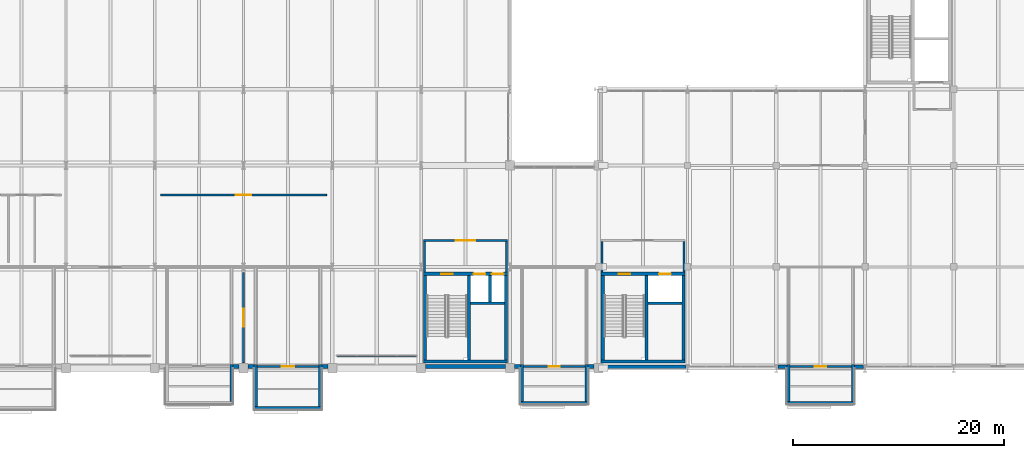
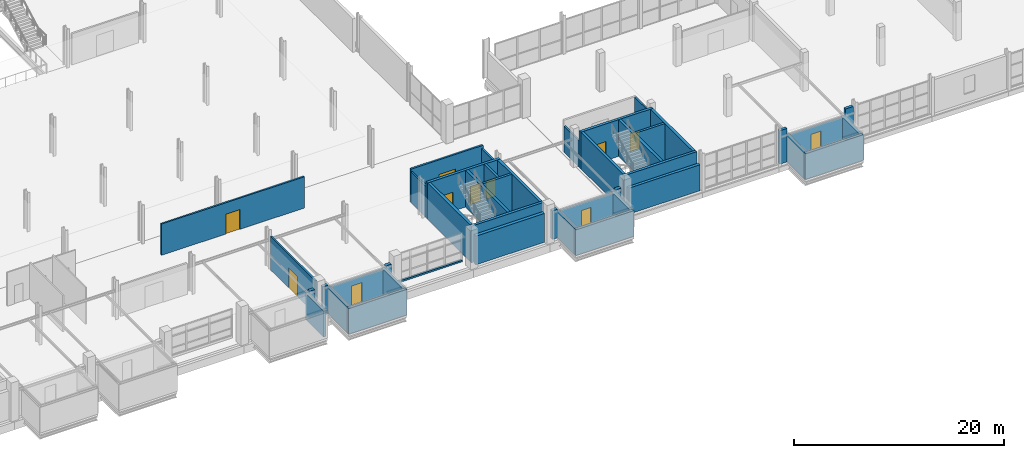
# One storey, part 100 of 113: 43 walls, 11 doors, 11 openings.
"""IFC4 building model written with IfcOpenShell, lengths in metres."""

import ifcopenshell
import ifcopenshell.guid

model = None  # the IFC model being written
_history = None  # IfcOwnerHistory: only IFC2X3 demands one
_inside = {}  # id of a spatial element -> (the spatial element, [elements in it])
_under = {}  # id of a project, library or spatial element -> (it, [spatial elements below it])
_declared = {}  # id of a project -> (the project, [libraries it declares])
_typed = {}  # id of a type object -> (the type object, [elements of that type])
_made_of = {}  # id of a material, layer set ... -> (it, [elements and type objects made of it])


def new_model(schema):
    """Start an empty IFC model of exactly this schema.

    Asked for "IFC4X3", IfcOpenShell would pick the latest addendum, in which some entities
    have other attributes; the version numbers below select the first issue.
    IFC2X3 requires an IfcOwnerHistory on every rooted entity: one is made here for all.
    """
    global model, _history
    if schema == "IFC4X3":
        model = ifcopenshell.file(schema_version=(4, 3, 0, 0))
    else:
        model = ifcopenshell.file(schema=schema)
    _inside.clear()
    _under.clear()
    _declared.clear()
    _typed.clear()
    _made_of.clear()
    _history = None
    if model.schema == "IFC2X3":
        org = make("IfcOrganization", Name="unknown")
        user = make(
            "IfcPersonAndOrganization",
            ThePerson=make("IfcPerson", FamilyName="unknown"),
            TheOrganization=org,
        )
        app = make(
            "IfcApplication",
            ApplicationDeveloper=org,
            Version="unknown",
            ApplicationFullName="unknown",
            ApplicationIdentifier="unknown",
        )
        _history = make(
            "IfcOwnerHistory",
            OwningUser=user,
            OwningApplication=app,
            ChangeAction="ADDED",
            CreationDate=0,
        )
    return model


def make(cls, **values):
    """One entity of the class cls with the attributes given. An attribute that is None is left unset."""
    return model.create_entity(
        cls, **{name: value for name, value in values.items() if value is not None}
    )


def rooted(cls, **values):
    """An entity with a GlobalId (a new one), such as an element, a storey or a relation."""
    return make(cls, GlobalId=ifcopenshell.guid.new(), OwnerHistory=_history, **values)


def si_unit(unit_type, name, prefix=None):
    """IfcSIUnit, for example si_unit("LENGTHUNIT", "METRE", prefix="MILLI")."""
    return make("IfcSIUnit", UnitType=unit_type, Prefix=prefix, Name=name)


def assignment(units):
    """IfcUnitAssignment: the units of a project."""
    return None if units is None else make("IfcUnitAssignment", Units=units)


def point(xyz):
    """IfcCartesianPoint."""
    return None if xyz is None else make("IfcCartesianPoint", Coordinates=xyz)


def direction(xyz):
    """IfcDirection."""
    return None if xyz is None else make("IfcDirection", DirectionRatios=xyz)


def frame(location, z_axis=None, x_axis=None):
    """IfcAxis2Placement3D, a coordinate frame: its origin and axes. An axis left out is left unset."""
    return make(
        "IfcAxis2Placement3D",
        Location=point(location),
        Axis=direction(z_axis),
        RefDirection=direction(x_axis),
    )


def frame_2d(location, x_axis=None):
    """IfcAxis2Placement2D, a coordinate frame in the plane: its origin and x axis."""
    return make(
        "IfcAxis2Placement2D", Location=point(location), RefDirection=direction(x_axis)
    )


def origin():
    """The frame at (0, 0, 0) with its axes left unset."""
    return frame((0.0, 0.0, 0.0))


def place(relative_to, where):
    """IfcLocalPlacement: puts the frame where relative to a parent placement (None: the world)."""
    return make(
        "IfcLocalPlacement", PlacementRelTo=relative_to, RelativePlacement=where
    )


def context(
    kind, dimensions, precision=None, world=None, true_north=None, identifier=None
):
    """IfcGeometricRepresentationContext, for example the 3D "Model" context."""
    return make(
        "IfcGeometricRepresentationContext",
        ContextIdentifier=identifier,
        ContextType=kind,
        CoordinateSpaceDimension=dimensions,
        Precision=precision,
        WorldCoordinateSystem=world,
        TrueNorth=true_north,
    )


def subcontext(parent, identifier, kind, view, scale=None):
    """IfcGeometricRepresentationSubContext, for example "Body" below "Model"."""
    return make(
        "IfcGeometricRepresentationSubContext",
        ContextIdentifier=identifier,
        ContextType=kind,
        ParentContext=parent,
        TargetScale=scale,
        TargetView=view,
    )


def project(units=None, contexts=None):
    """IfcProject with its units and contexts."""
    return rooted(
        "IfcProject",
        Name="project",
        RepresentationContexts=contexts,
        UnitsInContext=assignment(units),
    )


def spatial(cls, under=None, at=None, **own):
    """A site, building, storey or space (cls), placed at a placement, below another one or the project."""
    s = rooted(cls, ObjectPlacement=at, **own)
    if under is not None:
        _under.setdefault(under.id(), (under, []))[1].append(s)
    return s


def profile(cls, at=None, kind="AREA", **sizes):
    """A parametric profile (cls). Its sizes go by their IFC names, for example OverallWidth=200.0."""
    return make(cls, ProfileType=kind, Position=at, **sizes)


def rectangle(**sizes):
    """IfcRectangleProfileDef."""
    return profile("IfcRectangleProfileDef", **sizes)


def extrude(swept, where, along, depth):
    """IfcExtrudedAreaSolid: the profile swept, set in the frame where, extruded along a direction by depth."""
    return make(
        "IfcExtrudedAreaSolid",
        SweptArea=swept,
        Position=where,
        ExtrudedDirection=direction(along),
        Depth=depth,
    )


def shape(context_of_items, identifier, shape_type, items):
    """IfcShapeRepresentation: the items that make up one representation, for example the "Body"."""
    return make(
        "IfcShapeRepresentation",
        ContextOfItems=context_of_items,
        RepresentationIdentifier=identifier,
        RepresentationType=shape_type,
        Items=items,
    )


def material(Name=None, Category=None):
    """IfcMaterial."""
    return make("IfcMaterial", Name=Name, Category=Category)


def layer(
    of_material, thickness, ventilated=None, Name=None, Category=None, Priority=None
):
    """IfcMaterialLayer: one layer of a wall or slab, of a material (None: an air gap)."""
    return make(
        "IfcMaterialLayer",
        Material=of_material,
        LayerThickness=thickness,
        IsVentilated=ventilated,
        Name=Name,
        Category=Category,
        Priority=Priority,
    )


def layer_set(layers, Name=None):
    """IfcMaterialLayerSet."""
    return make("IfcMaterialLayerSet", MaterialLayers=layers, LayerSetName=Name)


def made_of(thing, what):
    """Note that an element or type object is made of a material, layer set ...; save() writes the relation."""
    if what is not None:
        _made_of.setdefault(what.id(), (what, []))[1].append(thing)
    return thing


def type_object(cls, material=None, **own):
    """A type object (cls), such as IfcWallType, which elements share."""
    return made_of(rooted(cls, **own), material)


def element(
    cls,
    number,
    at=None,
    inside=None,
    cuts=None,
    type_object=None,
    material=None,
    context=None,
    identifier="Body",
    shape_type=None,
    held_by="IfcProductDefinitionShape",
    body=None,
    shapes=None,
    **own,
):
    """One element of the class cls, such as IfcWall. Its Tag is "e" and its number.

    at: its placement. inside: the storey or other place that contains it. cuts: it is an
    opening in that element (IfcRelVoidsElement). A single representation is given by context,
    identifier, shape_type and body (its items); several are given by shapes. held_by: the class
    of the entity that holds the representations. save() writes the other relations.
    """
    e = rooted(cls, Tag="e%d" % number, ObjectPlacement=at, **own)
    if body is not None:
        shapes = [shape(context, identifier, shape_type, body)]
    if shapes is not None:
        e.Representation = make(held_by, Representations=shapes)
    if inside is not None:
        _inside.setdefault(inside.id(), (inside, []))[1].append(e)
    if cuts is not None:
        rooted(
            "IfcRelVoidsElement", RelatingBuildingElement=cuts, RelatedOpeningElement=e
        )
    if type_object is not None:
        _typed.setdefault(type_object.id(), (type_object, []))[1].append(e)
    return made_of(e, material)


def fill(opening, filler):
    """IfcRelFillsElement: the door or window that sits in an opening."""
    return rooted(
        "IfcRelFillsElement",
        RelatingOpeningElement=opening,
        RelatedBuildingElement=filler,
    )


def aggregate(whole, parts):
    """IfcRelAggregates: a whole, such as a stair, and the parts it consists of."""
    return rooted("IfcRelAggregates", RelatingObject=whole, RelatedObjects=parts)


def save(model, path):
    """Write the relations noted so far, then the file.

    IfcRelAggregates (storeys below a building ...), IfcRelContainedInSpatialStructure (elements
    in a storey), IfcRelDefinesByType, IfcRelAssociatesMaterial and IfcRelDeclares: one each for
    every whole, place, type object, material and project.
    """
    for whole, parts in _under.values():
        aggregate(whole, parts)
    for where, things in _inside.values():
        rooted(
            "IfcRelContainedInSpatialStructure",
            RelatedElements=things,
            RelatingStructure=where,
        )
    for kind, things in _typed.values():
        rooted("IfcRelDefinesByType", RelatedObjects=things, RelatingType=kind)
    for what, things in _made_of.values():
        rooted("IfcRelAssociatesMaterial", RelatedObjects=things, RelatingMaterial=what)
    for by, libraries in _declared.values():
        rooted("IfcRelDeclares", RelatingContext=by, RelatedDefinitions=libraries)
    model.write(path)


model = new_model("IFC4")

# Units and contexts
model_context = context("Model", 3, precision=1e-05, world=origin(), true_north=direction((0.0, 1.0)))
body_context = subcontext(model_context, "Body", "Model", "MODEL_VIEW")
ifc_project = project(units=[si_unit("LENGTHUNIT", "METRE"), si_unit("AREAUNIT", "SQUARE_METRE"), si_unit("VOLUMEUNIT", "CUBIC_METRE"), si_unit("PLANEANGLEUNIT", "RADIAN"), si_unit("MASSUNIT", "GRAM", prefix="KILO")], contexts=[model_context])

# Site, building, storey
site_placement = place(None, origin())
site = spatial("IfcSite", under=ifc_project, at=site_placement, CompositionType="ELEMENT")
building_placement = place(site_placement, origin())
building = spatial("IfcBuilding", under=site, at=building_placement, Name="Veltarok Museum of Natural Sciences", CompositionType="ELEMENT")
storey_placement = place(building_placement, frame((0.0, 0.0, 8.39990234375)))
storey = spatial("IfcBuildingStorey", under=building, at=storey_placement, Name="L01", CompositionType="ELEMENT", Elevation=8.39990234375)

# Walls
ifc_material_1 = material(Name="Precast concrete C40/50", Category="concrete")
ifc_layer_1 = layer(ifc_material_1, 0.280029296875)
ifc_layer_set_1 = layer_set([ifc_layer_1], Name="Precast concrete C40/50")
wall_type_1 = type_object("IfcWallType", Name="Cabinet Box Insulated Backup Wall 280", PredefinedType="SOLIDWALL", material=ifc_layer_set_1)
wall_1_placement = place(storey_placement, frame((72.4599609375, -3.1201171875, 0.0), z_axis=(0.0, 0.0, 1.0), x_axis=(0.0, 1.0, 0.0)))
element("IfcWall", 1, at=wall_1_placement, inside=storey, type_object=wall_type_1, Name="Cabinet Box Wall DB-03-E", PredefinedType="SOLIDWALL", context=body_context, shape_type="SweptSolid", body=[
    extrude(rectangle(XDim=3.480224609375, YDim=0.280029296875, at=frame_2d((1.740234375, 0.0))), origin(), (0.0, 0.0, 1.0), 2.989990234375),
])
wall_2_placement = place(storey_placement, frame((99.800048828125, -3.260009765625, 0.0), z_axis=(0.0, 0.0, 1.0), x_axis=(1.0, 0.0, 0.0)))
element("IfcWall", 2, at=wall_2_placement, inside=storey, type_object=wall_type_1, Name="Cabinet Box Wall DB-05-S", PredefinedType="SOLIDWALL", context=body_context, shape_type="SweptSolid", body=[
    extrude(rectangle(XDim=6.39990234375, YDim=0.280029296875, at=frame_2d((3.199951171875, 0.0))), origin(), (0.0, 0.0, 1.0), 2.989990234375),
])
for number, where, z_axis, x_axis, name in (
    (3, (99.93994140625, 0.360107421875, 0.0), (0.0, 0.0, 1.0), (0.0, -1.0, 0.0), "Cabinet Box Wall DB-05-W"),
    (4, (106.06005859375, -3.1201171875, 0.0), (0.0, 0.0, 1.0), (0.0, 1.0, 0.0), "Cabinet Box Wall DB-05-E"),
):
    element("IfcWall", number, at=place(storey_placement, frame(where, z_axis=z_axis, x_axis=x_axis)), inside=storey, type_object=wall_type_1, Name=name, PredefinedType="SOLIDWALL", context=body_context, shape_type="SweptSolid", body=[
        extrude(rectangle(XDim=3.480224609375, YDim=0.280029296875, at=frame_2d((1.740234375, 0.0))), origin(), (0.0, 0.0, 1.0), 2.989990234375),
    ])
wall_3_placement = place(storey_placement, frame((125.0, -3.260009765625, 0.0), z_axis=(0.0, 0.0, 1.0), x_axis=(1.0, 0.0, 0.0)))
element("IfcWall", 5, at=wall_3_placement, inside=storey, type_object=wall_type_1, Name="Cabinet Box Wall DB-06-S", PredefinedType="SOLIDWALL", context=body_context, shape_type="SweptSolid", body=[
    extrude(rectangle(XDim=6.39990234375, YDim=0.280029296875, at=frame_2d((3.199951171875, 0.0))), origin(), (0.0, 0.0, 1.0), 2.989990234375),
])
for number, where, z_axis, x_axis, name in (
    (6, (125.139892578125, 0.360107421875, 0.0), (0.0, 0.0, 1.0), (0.0, -1.0, 0.0), "Cabinet Box Wall DB-06-W"),
    (7, (131.260009765625, -3.1201171875, 0.0), (0.0, 0.0, 1.0), (0.0, 1.0, 0.0), "Cabinet Box Wall DB-06-E"),
):
    element("IfcWall", number, at=place(storey_placement, frame(where, z_axis=z_axis, x_axis=x_axis)), inside=storey, type_object=wall_type_1, Name=name, PredefinedType="SOLIDWALL", context=body_context, shape_type="SweptSolid", body=[
        extrude(rectangle(XDim=3.480224609375, YDim=0.280029296875, at=frame_2d((1.740234375, 0.0))), origin(), (0.0, 0.0, 1.0), 2.989990234375),
    ])
ifc_layer_2 = layer(ifc_material_1, 0.300048828125)
ifc_layer_set_2 = layer_set([ifc_layer_2], Name="Precast concrete C40/50")
wall_type_2 = type_object("IfcWallType", Name="Deep Cabinet Box Insulated Wall 300", PredefinedType="SOLIDWALL", material=ifc_layer_set_2)
wall_4_placement = place(storey_placement, frame((74.60009765625, -3.75, 0.0), z_axis=(0.0, 0.0, 1.0), x_axis=(1.0, 0.0, 0.0)))
element("IfcWall", 8, at=wall_4_placement, inside=storey, type_object=wall_type_2, Name="Cabinet Box Wall DB-04-S", PredefinedType="SOLIDWALL", context=body_context, shape_type="SweptSolid", body=[
    extrude(rectangle(XDim=6.39990234375, YDim=0.300048828125, at=frame_2d((3.199951171875, 0.0))), origin(), (0.0, 0.0, 1.0), 2.989990234375),
])
for number, where, z_axis, x_axis, name in (
    (9, (74.75, 0.360107421875, 0.0), (0.0, 0.0, 1.0), (0.0, -1.0, 0.0), "Cabinet Box Wall DB-04-W"),
    (10, (80.85009765625, -3.60009765625, 0.0), (0.0, 0.0, 1.0), (0.0, 1.0, 0.0), "Cabinet Box Wall DB-04-E"),
):
    element("IfcWall", number, at=place(storey_placement, frame(where, z_axis=z_axis, x_axis=x_axis)), inside=storey, type_object=wall_type_2, Name=name, PredefinedType="SOLIDWALL", context=body_context, shape_type="SweptSolid", body=[
        extrude(rectangle(XDim=3.960205078125, YDim=0.300048828125, at=frame_2d((1.97998046875, 0.0))), origin(), (0.0, 0.0, 1.0), 2.989990234375),
    ])

# Wall, opening, door
ifc_material_2 = material(Name="Acoustic gypsum and mineral wool")
ifc_layer_3 = layer(ifc_material_2, 0.179931640625)
ifc_layer_set_3 = layer_set([ifc_layer_3], Name="Acoustic gypsum and mineral wool")
wall_type_3 = type_object("IfcWallType", Name="Exhibition Gallery Partition 180", PredefinedType="PARTITIONING", material=ifc_layer_set_3)
wall_5_placement = place(storey_placement, frame((74.89990234375, 0.179931640625, 0.0), z_axis=(0.0, 0.0, 1.0), x_axis=(1.0, 0.0, 0.0)))
wall_5 = element("IfcWall", 11, at=wall_5_placement, inside=storey, type_object=wall_type_3, Name="Cabinet Threshold Partition DB-04", PredefinedType="PARTITIONING", context=body_context, shape_type="SweptSolid", body=[
    extrude(rectangle(XDim=5.800048828125, YDim=0.179931640625, at=frame_2d((2.89990234375, 0.0))), origin(), (0.0, 0.0, 1.0), 2.989990234375),
])
opening_1_placement = place(wall_5_placement, frame((2.31005859375, 0.0, 0.0)))
opening_1 = element("IfcOpeningElement", 12, at=opening_1_placement, cuts=wall_5, Name="Opening D-L01-075", PredefinedType="OPENING", context=body_context, shape_type="SweptSolid", body=[
    extrude(rectangle(XDim=1.179931640625, YDim=2.25, at=frame_2d((0.58984375, 1.125))), frame((0.0, 0.10009765625, 0.0), z_axis=(0.0, -1.0, 0.0), x_axis=(1.0, 0.0, 0.0)), (0.0, 0.0, 1.0), 0.199951171875),
])
ifc_material_3 = material(Name="Airtight powder-coated steel", Category="steel")
door_type_1 = type_object("IfcDoorType", Name="Large Cabinet Conservation Door 1180x2250", OperationType="NOTDEFINED", PredefinedType="DOOR", material=ifc_material_3)
door_1_placement = place(opening_1_placement, origin())
door_1 = element("IfcDoor", 13, at=door_1_placement, inside=storey, type_object=door_type_1, Name="Cabinet Conservation Door DB-04", OperationType="SINGLE_SWING_LEFT", OverallHeight=2.25, OverallWidth=1.179931640625, PredefinedType="DOOR", context=body_context, shape_type="SweptSolid", body=[
    extrude(rectangle(XDim=1.179931640625, YDim=2.25, at=frame_2d((0.58984375, 1.125))), frame((0.0, 0.02490234375, 0.0), z_axis=(0.0, -1.0, 0.0), x_axis=(1.0, 0.0, 0.0)), (0.0, 0.0, 1.0), 0.050048828125),
])
fill(opening_1, door_1)

wall_6_placement = place(storey_placement, frame((100.080078125, 0.179931640625, 0.0), z_axis=(0.0, 0.0, 1.0), x_axis=(1.0, 0.0, 0.0)))
wall_6 = element("IfcWall", 14, at=wall_6_placement, inside=storey, type_object=wall_type_3, Name="Cabinet Threshold Partition DB-05", PredefinedType="PARTITIONING", context=body_context, shape_type="SweptSolid", body=[
    extrude(rectangle(XDim=5.83984375, YDim=0.179931640625, at=frame_2d((2.919921875, 0.0))), origin(), (0.0, 0.0, 1.0), 2.989990234375),
])
opening_2_placement = place(wall_6_placement, frame((2.39990234375, 0.0, 0.0)))
opening_2 = element("IfcOpeningElement", 15, at=opening_2_placement, cuts=wall_6, Name="Opening D-L01-076", PredefinedType="OPENING", context=body_context, shape_type="SweptSolid", body=[
    extrude(rectangle(XDim=1.0400390625, YDim=2.179931640625, at=frame_2d((0.52001953125, 1.08984375))), frame((0.0, 0.10009765625, 0.0), z_axis=(0.0, -1.0, 0.0), x_axis=(1.0, 0.0, 0.0)), (0.0, 0.0, 1.0), 0.199951171875),
])
door_type_2 = type_object("IfcDoorType", Name="Compact Cabinet Conservation Door 1040x2180", OperationType="NOTDEFINED", PredefinedType="DOOR", material=ifc_material_3)
door_2_placement = place(opening_2_placement, origin())
door_2 = element("IfcDoor", 16, at=door_2_placement, inside=storey, type_object=door_type_2, Name="Cabinet Conservation Door DB-05", OperationType="SINGLE_SWING_RIGHT", OverallHeight=2.179931640625, OverallWidth=1.0400390625, PredefinedType="DOOR", context=body_context, shape_type="SweptSolid", body=[
    extrude(rectangle(XDim=1.0400390625, YDim=2.179931640625, at=frame_2d((0.52001953125, 1.08984375))), frame((0.0, 0.02490234375, 0.0), z_axis=(0.0, -1.0, 0.0), x_axis=(1.0, 0.0, 0.0)), (0.0, 0.0, 1.0), 0.050048828125),
])
fill(opening_2, door_2)

wall_7_placement = place(storey_placement, frame((125.280029296875, 0.179931640625, 0.0), z_axis=(0.0, 0.0, 1.0), x_axis=(1.0, 0.0, 0.0)))
wall_7 = element("IfcWall", 17, at=wall_7_placement, inside=storey, type_object=wall_type_3, Name="Cabinet Threshold Partition DB-06", PredefinedType="PARTITIONING", context=body_context, shape_type="SweptSolid", body=[
    extrude(rectangle(XDim=5.840087890625, YDim=0.179931640625, at=frame_2d((2.919921875, 0.0))), origin(), (0.0, 0.0, 1.0), 2.989990234375),
])
opening_3_placement = place(wall_7_placement, frame((2.3701171875, 0.0, 0.0)))
opening_3 = element("IfcOpeningElement", 18, at=opening_3_placement, cuts=wall_7, Name="Opening D-L01-077", PredefinedType="OPENING", context=body_context, shape_type="SweptSolid", body=[
    extrude(rectangle(XDim=1.10009765625, YDim=2.199951171875, at=frame_2d((0.550048828125, 1.10009765625))), frame((0.0, 0.10009765625, 0.0), z_axis=(0.0, -1.0, 0.0), x_axis=(1.0, 0.0, 0.0)), (0.0, 0.0, 1.0), 0.199951171875),
])
door_type_3 = type_object("IfcDoorType", Name="Cabinet Box Conservation Door 1100x2200", OperationType="NOTDEFINED", PredefinedType="DOOR", material=ifc_material_3)
door_3_placement = place(opening_3_placement, origin())
door_3 = element("IfcDoor", 19, at=door_3_placement, inside=storey, type_object=door_type_3, Name="Cabinet Conservation Door DB-06", OperationType="SINGLE_SWING_LEFT", OverallHeight=2.199951171875, OverallWidth=1.10009765625, PredefinedType="DOOR", context=body_context, shape_type="SweptSolid", body=[
    extrude(rectangle(XDim=1.10009765625, YDim=2.199951171875, at=frame_2d((0.550048828125, 1.10009765625))), frame((0.0, 0.02490234375, 0.0), z_axis=(0.0, -1.0, 0.0), x_axis=(1.0, 0.0, 0.0)), (0.0, 0.0, 1.0), 0.050048828125),
])
fill(opening_3, door_3)

wall_8_placement = place(storey_placement, frame((73.60009765625, 0.550048828125, 0.0), z_axis=(0.0, 0.0, 1.0), x_axis=(0.0, 1.0, 0.0)))
wall_8 = element("IfcWall", 20, at=wall_8_placement, inside=storey, type_object=wall_type_3, Name="Interior Partition L01-027", PredefinedType="PARTITIONING", context=body_context, shape_type="SweptSolid", body=[
    extrude(rectangle(XDim=8.5, YDim=0.179931640625, at=frame_2d((4.25, 0.0))), origin(), (0.0, 0.0, 1.0), 3.902099609375),
])
opening_4_placement = place(wall_8_placement, frame((3.39990234375, 0.0, 0.0)))
opening_4 = element("IfcOpeningElement", 21, at=opening_4_placement, cuts=wall_8, Name="Opening D-L01-153", PredefinedType="OPENING", context=body_context, shape_type="SweptSolid", body=[
    extrude(rectangle(XDim=1.699951171875, YDim=2.35009765625, at=frame_2d((0.85009765625, 1.175048828125))), frame((0.0, 0.10009765625, 0.0), z_axis=(0.0, -1.0, 0.0), x_axis=(1.0, 0.0, 0.0)), (0.0, 0.0, 1.0), 0.199951171875),
])
ifc_material_4 = material(Name="Solid European oak and safety glass", Category="glass")
door_type_4 = type_object("IfcDoorType", Name="Gallery Interconnecting Double Door 1700x2350", OperationType="NOTDEFINED", PredefinedType="DOOR", material=ifc_material_4)
door_4_placement = place(opening_4_placement, origin())
door_4 = element("IfcDoor", 22, at=door_4_placement, inside=storey, type_object=door_type_4, Name="Interior Door D-L01-153", OperationType="DOUBLE_DOOR_SINGLE_SWING", OverallHeight=2.35009765625, OverallWidth=1.699951171875, PredefinedType="DOOR", context=body_context, shape_type="SweptSolid", body=[
    extrude(rectangle(XDim=1.699951171875, YDim=2.35009765625, at=frame_2d((0.85009765625, 1.175048828125))), frame((0.0, 0.02490234375, 0.0), z_axis=(0.0, -1.0, 0.0), x_axis=(1.0, 0.0, 0.0)), (0.0, 0.0, 1.0), 0.050048828125),
])
fill(opening_4, door_4)

wall_9_placement = place(storey_placement, frame((65.75, 16.39990234375, 0.0), z_axis=(0.0, 0.0, 1.0), x_axis=(1.0, 0.0, 0.0)))
wall_9 = element("IfcWall", 23, at=wall_9_placement, inside=storey, type_object=wall_type_3, Name="Interior Partition L01-028", PredefinedType="PARTITIONING", context=body_context, shape_type="SweptSolid", body=[
    extrude(rectangle(XDim=15.699951171875, YDim=0.179931640625, at=frame_2d((7.85009765625, 0.0))), origin(), (0.0, 0.0, 1.0), 3.632080078125),
])
opening_5_placement = place(wall_9_placement, frame((7.10009765625, 0.0, 0.0)))
opening_5 = element("IfcOpeningElement", 24, at=opening_5_placement, cuts=wall_9, Name="Opening D-L01-154", PredefinedType="OPENING", context=body_context, shape_type="SweptSolid", body=[
    extrude(rectangle(XDim=1.5, YDim=2.300048828125, at=frame_2d((0.75, 1.14990234375))), frame((0.0, 0.10009765625, 0.0), z_axis=(0.0, -1.0, 0.0), x_axis=(1.0, 0.0, 0.0)), (0.0, 0.0, 1.0), 0.199951171875),
])
door_type_5 = type_object("IfcDoorType", Name="Seminar Double Swing Door 1500x2300", OperationType="NOTDEFINED", PredefinedType="DOOR", material=ifc_material_4)
door_5_placement = place(opening_5_placement, origin())
door_5 = element("IfcDoor", 25, at=door_5_placement, inside=storey, type_object=door_type_5, Name="Interior Door D-L01-154", OperationType="SINGLE_SWING_LEFT", OverallHeight=2.300048828125, OverallWidth=1.5, PredefinedType="DOOR", context=body_context, shape_type="SweptSolid", body=[
    extrude(rectangle(XDim=1.5, YDim=2.300048828125, at=frame_2d((0.75, 1.14990234375))), frame((0.0, 0.02490234375, 0.0), z_axis=(0.0, -1.0, 0.0), x_axis=(1.0, 0.0, 0.0)), (0.0, 0.0, 1.0), 0.050048828125),
])
fill(opening_5, door_5)

# Walls
ifc_material_5 = material(Name="Concrete C40/50", Category="concrete")
ifc_layer_4 = layer(ifc_material_5, 0.360107421875)
ifc_layer_set_4 = layer_set([ifc_layer_4], Name="Concrete C40/50")
wall_type_4 = type_object("IfcWallType", Name="Exposed Architectural Concrete Facade Wall 360", PredefinedType="SOLIDWALL", material=ifc_layer_set_4)
wall_10_placement = place(storey_placement, frame((72.60009765625, 0.179931640625, 0.0), z_axis=(0.0, 0.0, 1.0), x_axis=(1.0, 0.0, 0.0)))
element("IfcWall", 26, at=wall_10_placement, inside=storey, type_object=wall_type_4, Name="Cabinet Collar Wall L01 8-9R", PredefinedType="SOLIDWALL", context=body_context, shape_type="SweptSolid", body=[
    extrude(rectangle(XDim=0.574951171875, YDim=0.360107421875, at=frame_2d((0.28759765625, 0.0))), origin(), (0.0, 0.0, 1.0), 3.335205078125),
])
wall_11_placement = place(storey_placement, frame((74.02490234375, 0.179931640625, 0.0), z_axis=(0.0, 0.0, 1.0), x_axis=(1.0, 0.0, 0.0)))
element("IfcWall", 27, at=wall_11_placement, inside=storey, type_object=wall_type_4, Name="Cabinet Collar Wall L01 9-10L", PredefinedType="SOLIDWALL", context=body_context, shape_type="SweptSolid", body=[
    extrude(rectangle(XDim=0.5751953125, YDim=0.360107421875, at=frame_2d((0.28759765625, 0.0))), origin(), (0.0, 0.0, 1.0), 3.335205078125),
])
wall_12_placement = place(storey_placement, frame((81.0, 0.179931640625, 0.0), z_axis=(0.0, 0.0, 1.0), x_axis=(1.0, 0.0, 0.0)))
element("IfcWall", 28, at=wall_12_placement, inside=storey, type_object=wall_type_4, Name="Cabinet Collar Wall L01 9-10R", PredefinedType="SOLIDWALL", context=body_context, shape_type="SweptSolid", body=[
    extrude(rectangle(XDim=0.574951171875, YDim=0.360107421875, at=frame_2d((0.28759765625, 0.0))), origin(), (0.0, 0.0, 1.0), 3.335205078125),
])
wall_13_placement = place(storey_placement, frame((90.824951171875, 0.179931640625, 0.0), z_axis=(0.0, 0.0, 1.0), x_axis=(1.0, 0.0, 0.0)))
element("IfcWall", 29, at=wall_13_placement, inside=storey, type_object=wall_type_4, Name="South Core Facade Wall L01 11-12", PredefinedType="SOLIDWALL", context=body_context, shape_type="SweptSolid", body=[
    extrude(rectangle(XDim=7.550048828125, YDim=0.360107421875, at=frame_2d((3.77490234375, 0.0))), origin(), (0.0, 0.0, 1.0), 3.335205078125),
])
for number, where, z_axis, x_axis, name in (
    (30, (99.22509765625, 0.179931640625, 0.0), (0.0, 0.0, 1.0), (1.0, 0.0, 0.0), "Cabinet Collar Wall L01 12-13L"),
    (31, (106.199951171875, 0.179931640625, 0.0), (0.0, 0.0, 1.0), (1.0, 0.0, 0.0), "Cabinet Collar Wall L01 12-13R"),
):
    element("IfcWall", number, at=place(storey_placement, frame(where, z_axis=z_axis, x_axis=x_axis)), inside=storey, type_object=wall_type_4, Name=name, PredefinedType="SOLIDWALL", context=body_context, shape_type="SweptSolid", body=[
        extrude(rectangle(XDim=0.574951171875, YDim=0.360107421875, at=frame_2d((0.28759765625, 0.0))), origin(), (0.0, 0.0, 1.0), 3.335205078125),
    ])

# Wall, opening, door
ifc_material_6 = material(Name="Concrete C35/45", Category="concrete")
ifc_layer_5 = layer(ifc_material_6, 0.199951171875)
ifc_layer_set_5 = layer_set([ifc_layer_5], Name="Concrete C35/45")
wall_type_5 = type_object("IfcWallType", Name="Firefighting Lobby Compartment Wall 200", PredefinedType="SOLIDWALL", material=ifc_layer_set_5)
wall_14_placement = place(storey_placement, frame((90.6298828125, 12.10009765625, 0.0), z_axis=(0.0, 0.0, 1.0), x_axis=(1.0, 0.0, 0.0)))
wall_14 = element("IfcWall", 32, at=wall_14_placement, inside=storey, type_object=wall_type_5, Name="Firefighting Lobby Wall C2 L01 N", PredefinedType="SOLIDWALL", context=body_context, shape_type="SweptSolid", body=[
    extrude(rectangle(XDim=7.940185546875, YDim=0.199951171875, at=frame_2d((3.97021484375, 0.0))), origin(), (0.0, 0.0, 1.0), 3.902099609375),
])
opening_6_placement = place(wall_14_placement, frame((3.070068359375, 0.0, 0.0)))
opening_6 = element("IfcOpeningElement", 33, at=opening_6_placement, cuts=wall_14, Name="Opening D-L01-027", PredefinedType="OPENING", context=body_context, shape_type="SweptSolid", body=[
    extrude(rectangle(XDim=1.800048828125, YDim=2.199951171875, at=frame_2d((0.89990234375, 1.10009765625))), frame((0.0, 0.10986328125, 0.0), z_axis=(0.0, -1.0, 0.0), x_axis=(1.0, 0.0, 0.0)), (0.0, 0.0, 1.0), 0.219970703125),
])
ifc_material_7 = material(Name="Fire-rated steel and vision glass", Category="steel")
door_type_6 = type_object("IfcDoorType", Name="Fire Lobby Double Door 1800x2200", OperationType="NOTDEFINED", PredefinedType="DOOR", material=ifc_material_7)
door_6_placement = place(opening_6_placement, origin())
door_6 = element("IfcDoor", 34, at=door_6_placement, inside=storey, type_object=door_type_6, Name="Firefighting Lobby Entrance Door C2 L01", OperationType="DOUBLE_DOOR_SINGLE_SWING", OverallHeight=2.199951171875, OverallWidth=1.800048828125, PredefinedType="DOOR", context=body_context, shape_type="SweptSolid", body=[
    extrude(rectangle(XDim=1.800048828125, YDim=2.199951171875, at=frame_2d((0.89990234375, 1.10009765625))), frame((0.0, 0.02490234375, 0.0), z_axis=(0.0, -1.0, 0.0), x_axis=(1.0, 0.0, 0.0)), (0.0, 0.0, 1.0), 0.050048828125),
])
fill(opening_6, door_6)

# Walls
for number, where, z_axis, x_axis, name in (
    (35, (90.72998046875, 9.10009765625, 0.0), (0.0, 0.0, 1.0), (0.0, 1.0, 0.0), "Firefighting Lobby Wall C2 L01 W"),
    (36, (98.469970703125, 12.0, 0.0), (0.0, 0.0, 1.0), (0.0, -1.0, 0.0), "Firefighting Lobby Wall C2 L01 E"),
):
    element("IfcWall", number, at=place(storey_placement, frame(where, z_axis=z_axis, x_axis=x_axis)), inside=storey, type_object=wall_type_5, Name=name, PredefinedType="SOLIDWALL", context=body_context, shape_type="SweptSolid", body=[
        extrude(rectangle(XDim=2.89990234375, YDim=0.199951171875, at=frame_2d((1.449951171875, 0.0))), origin(), (0.0, 0.0, 1.0), 3.592041015625),
    ])
wall_15_placement = place(storey_placement, frame((107.530029296875, 9.10009765625, 0.0), z_axis=(0.0, 0.0, 1.0), x_axis=(0.0, 1.0, 0.0)))
element("IfcWall", 37, at=wall_15_placement, inside=storey, type_object=wall_type_5, Name="Firefighting Lobby Wall C4 L01 W", PredefinedType="SOLIDWALL", context=body_context, shape_type="SweptSolid", body=[
    extrude(rectangle(XDim=2.89990234375, YDim=0.199951171875, at=frame_2d((1.449951171875, 0.0))), origin(), (0.0, 0.0, 1.0), 3.031982421875),
])
wall_16_placement = place(storey_placement, frame((115.27001953125, 12.0, 0.0), z_axis=(0.0, 0.0, 1.0), x_axis=(0.0, -1.0, 0.0)))
element("IfcWall", 38, at=wall_16_placement, inside=storey, type_object=wall_type_5, Name="Firefighting Lobby Wall C4 L01 E", PredefinedType="SOLIDWALL", context=body_context, shape_type="SweptSolid", body=[
    extrude(rectangle(XDim=2.89990234375, YDim=0.199951171875, at=frame_2d((1.449951171875, 0.0))), origin(), (0.0, 0.0, 1.0), 3.68212890625),
])
ifc_layer_6 = layer(ifc_material_1, 0.320068359375)
ifc_layer_set_6 = layer_set([ifc_layer_6], Name="Precast concrete C40/50")
wall_type_6 = type_object("IfcWallType", Name="Insulated Precast Facade Wall 320", PredefinedType="SOLIDWALL", material=ifc_layer_set_6)
wall_17_placement = place(storey_placement, frame((107.625, 0.159912109375, 0.0), z_axis=(0.0, 0.0, 1.0), x_axis=(1.0, 0.0, 0.0)))
element("IfcWall", 39, at=wall_17_placement, inside=storey, type_object=wall_type_6, Name="Core C4 South Facade Wall L01", PredefinedType="SOLIDWALL", context=body_context, shape_type="SweptSolid", body=[
    extrude(rectangle(XDim=7.824951171875, YDim=0.320068359375, at=frame_2d((3.91259765625, 0.0))), origin(), (0.0, 0.0, 1.0), 3.02001953125),
])
for number, where, z_axis, x_axis, name in (
    (40, (124.14990234375, 0.159912109375, 0.0), (0.0, 0.0, 1.0), (1.0, 0.0, 0.0), "V5 Cabinet Collar Wall L01 15-16L"),
    (41, (131.39990234375, 0.159912109375, 0.0), (0.0, 0.0, 1.0), (1.0, 0.0, 0.0), "V5 Cabinet Collar Wall L01 15-16R"),
):
    element("IfcWall", number, at=place(storey_placement, frame(where, z_axis=z_axis, x_axis=x_axis)), inside=storey, type_object=wall_type_6, Name=name, PredefinedType="SOLIDWALL", context=body_context, shape_type="SweptSolid", body=[
        extrude(rectangle(XDim=0.85009765625, YDim=0.320068359375, at=frame_2d((0.425048828125, 0.0))), origin(), (0.0, 0.0, 1.0), 3.880126953125),
    ])
ifc_layer_7 = layer(ifc_material_5, 0.25)
ifc_layer_set_7 = layer_set([ifc_layer_7], Name="Concrete C40/50")
wall_type_7 = type_object("IfcWallType", Name="Lift Shaft Concrete Shear Wall 250", PredefinedType="SHEAR", material=ifc_layer_set_7)
wall_18_placement = place(storey_placement, frame((96.9150390625, 6.300048828125, 0.0), z_axis=(0.0, 0.0, 1.0), x_axis=(0.0, 1.0, 0.0)))
element("IfcWall", 42, at=wall_18_placement, inside=storey, type_object=wall_type_7, Name="Lift Shaft Divider Wall C2 L01", PredefinedType="SHEAR", context=body_context, shape_type="SweptSolid", body=[
    extrude(rectangle(XDim=2.5, YDim=0.25, at=frame_2d((1.25, 0.0))), origin(), (0.0, 0.0, 1.0), 4.25),
])
for number, where, z_axis, x_axis, name in (
    (43, (95.070068359375, 6.175048828125, 0.0), (0.0, 0.0, 1.0), (1.0, 0.0, 0.0), "Lift Shaft Back Wall C2 L01"),
    (44, (111.8701171875, 6.175048828125, 0.0), (0.0, 0.0, 1.0), (1.0, 0.0, 0.0), "Lift Shaft Back Wall C4 L01"),
):
    element("IfcWall", number, at=place(storey_placement, frame(where, z_axis=z_axis, x_axis=x_axis)), inside=storey, type_object=wall_type_7, Name=name, PredefinedType="SHEAR", context=body_context, shape_type="SweptSolid", body=[
        extrude(rectangle(XDim=3.199951171875, YDim=0.25, at=frame_2d((1.60009765625, 0.0))), origin(), (0.0, 0.0, 1.0), 4.25),
    ])
ifc_layer_8 = layer(ifc_material_5, 0.300048828125)
ifc_layer_set_8 = layer_set([ifc_layer_8], Name="Concrete C40/50")
wall_type_8 = type_object("IfcWallType", Name="Protected Core Shear Wall 300", PredefinedType="SHEAR", material=ifc_layer_set_8)
wall_19_placement = place(storey_placement, frame((90.6298828125, 0.64990234375, 0.0), z_axis=(0.0, 0.0, 1.0), x_axis=(1.0, 0.0, 0.0)))
element("IfcWall", 45, at=wall_19_placement, inside=storey, type_object=wall_type_8, Name="Core Shear Wall C2 L01 S", PredefinedType="SHEAR", context=body_context, shape_type="SweptSolid", body=[
    extrude(rectangle(XDim=7.940185546875, YDim=0.300048828125, at=frame_2d((3.97021484375, 0.0))), origin(), (0.0, 0.0, 1.0), 4.25),
])

# Wall, openings, doors
wall_20_placement = place(storey_placement, frame((98.570068359375, 8.949951171875, 0.0), z_axis=(0.0, 0.0, 1.0), x_axis=(-1.0, 0.0, 0.0)))
wall_20 = element("IfcWall", 46, at=wall_20_placement, inside=storey, type_object=wall_type_8, Name="Core Shear Wall C2 L01 N", PredefinedType="SHEAR", context=body_context, shape_type="SweptSolid", body=[
    extrude(rectangle(XDim=7.940185546875, YDim=0.300048828125, at=frame_2d((3.97021484375, 0.0))), origin(), (0.0, 0.0, 1.0), 4.25),
])
opening_7_placement = place(wall_20_placement, frame((5.169921875, 0.0, 0.0)))
opening_7 = element("IfcOpeningElement", 47, at=opening_7_placement, cuts=wall_20, Name="Opening D-L01-026", PredefinedType="OPENING", context=body_context, shape_type="SweptSolid", body=[
    extrude(rectangle(XDim=1.10009765625, YDim=2.199951171875, at=frame_2d((0.550048828125, 1.10009765625))), frame((0.0, 0.16015625, 0.0), z_axis=(0.0, -1.0, 0.0), x_axis=(1.0, 0.0, 0.0)), (0.0, 0.0, 1.0), 0.320068359375),
])
opening_8_placement = place(wall_20_placement, frame((2.090087890625, 0.0, 0.0)))
opening_8 = element("IfcOpeningElement", 48, at=opening_8_placement, cuts=wall_20, Name="Opening LD-L01-LP-02", PredefinedType="OPENING", context=body_context, shape_type="SweptSolid", body=[
    extrude(rectangle(XDim=1.10009765625, YDim=2.10009765625, at=frame_2d((0.550048828125, 1.050048828125))), frame((0.0, 0.16015625, 0.0), z_axis=(0.0, -1.0, 0.0), x_axis=(1.0, 0.0, 0.0)), (0.0, 0.0, 1.0), 0.320068359375),
])
opening_9_placement = place(wall_20_placement, frame((0.364990234375, 0.0, 0.0)))
opening_9 = element("IfcOpeningElement", 49, at=opening_9_placement, cuts=wall_20, Name="Opening LD-L01-FL-02", PredefinedType="OPENING", context=body_context, shape_type="SweptSolid", body=[
    extrude(rectangle(XDim=1.10009765625, YDim=2.10009765625, at=frame_2d((0.550048828125, 1.050048828125))), frame((0.0, 0.16015625, 0.0), z_axis=(0.0, -1.0, 0.0), x_axis=(1.0, 0.0, 0.0)), (0.0, 0.0, 1.0), 0.320068359375),
])
ifc_material_8 = material(Name="Fire-rated painted steel", Category="steel")
door_type_7 = type_object("IfcDoorType", Name="Fire Core Single Escape Door 1100x2200", OperationType="NOTDEFINED", PredefinedType="DOOR", material=ifc_material_8)
door_7_placement = place(opening_7_placement, origin())
door_7 = element("IfcDoor", 50, at=door_7_placement, inside=storey, type_object=door_type_7, Name="Protected Stair Door ST-02 L01", OperationType="SINGLE_SWING_LEFT", OverallHeight=2.199951171875, OverallWidth=1.10009765625, PredefinedType="DOOR", context=body_context, shape_type="SweptSolid", body=[
    extrude(rectangle(XDim=1.10009765625, YDim=2.199951171875, at=frame_2d((0.550048828125, 1.10009765625))), frame((0.0, 0.02490234375, 0.0), z_axis=(0.0, -1.0, 0.0), x_axis=(1.0, 0.0, 0.0)), (0.0, 0.0, 1.0), 0.050048828125),
])
fill(opening_7, door_7)
ifc_material_9 = material(Name="Brushed stainless steel", Category="steel")
door_type_8 = type_object("IfcDoorType", Name="Passenger and Firefighting Lift Landing Door 1100x2100", OperationType="SLIDING_TO_LEFT", PredefinedType="DOOR", material=ifc_material_9)
door_8_placement = place(opening_8_placement, origin())
door_8 = element("IfcDoor", 51, at=door_8_placement, inside=storey, type_object=door_type_8, Name="Sliding Lift Landing Door LD-L01-LP-02", OperationType="SLIDING_TO_LEFT", OverallHeight=2.10009765625, OverallWidth=1.10009765625, PredefinedType="DOOR", context=body_context, shape_type="SweptSolid", body=[
    extrude(rectangle(XDim=1.10009765625, YDim=2.10009765625, at=frame_2d((0.550048828125, 1.050048828125))), frame((0.0, 0.02490234375, 0.0), z_axis=(0.0, -1.0, 0.0), x_axis=(1.0, 0.0, 0.0)), (0.0, 0.0, 1.0), 0.050048828125),
])
fill(opening_8, door_8)
door_9_placement = place(opening_9_placement, origin())
door_9 = element("IfcDoor", 52, at=door_9_placement, inside=storey, type_object=door_type_8, Name="Sliding Lift Landing Door LD-L01-FL-02", OperationType="SLIDING_TO_LEFT", OverallHeight=2.10009765625, OverallWidth=1.10009765625, PredefinedType="DOOR", context=body_context, shape_type="SweptSolid", body=[
    extrude(rectangle(XDim=1.10009765625, YDim=2.10009765625, at=frame_2d((0.550048828125, 1.050048828125))), frame((0.0, 0.02490234375, 0.0), z_axis=(0.0, -1.0, 0.0), x_axis=(1.0, 0.0, 0.0)), (0.0, 0.0, 1.0), 0.050048828125),
])
fill(opening_9, door_9)

# Walls
for number, where, z_axis, x_axis, name in (
    (53, (90.780029296875, 8.800048828125, 0.0), (0.0, 0.0, 1.0), (0.0, -1.0, 0.0), "Core Shear Wall C2 L01 W"),
    (54, (98.419921875, 0.800048828125, 0.0), (0.0, 0.0, 1.0), (0.0, 1.0, 0.0), "Core Shear Wall C2 L01 E"),
    (55, (94.919921875, 0.800048828125, 0.0), (0.0, 0.0, 1.0), (0.0, 1.0, 0.0), "Core Shear Wall C2 L01 DIV"),
):
    element("IfcWall", number, at=place(storey_placement, frame(where, z_axis=z_axis, x_axis=x_axis)), inside=storey, type_object=wall_type_8, Name=name, PredefinedType="SHEAR", context=body_context, shape_type="SweptSolid", body=[
        extrude(rectangle(XDim=8.0, YDim=0.300048828125, at=frame_2d((4.0, 0.0))), origin(), (0.0, 0.0, 1.0), 4.25),
    ])
wall_21_placement = place(storey_placement, frame((107.429931640625, 0.64990234375, 0.0), z_axis=(0.0, 0.0, 1.0), x_axis=(1.0, 0.0, 0.0)))
element("IfcWall", 56, at=wall_21_placement, inside=storey, type_object=wall_type_8, Name="Core Shear Wall C4 L01 S", PredefinedType="SHEAR", context=body_context, shape_type="SweptSolid", body=[
    extrude(rectangle(XDim=7.940185546875, YDim=0.300048828125, at=frame_2d((3.97021484375, 0.0))), origin(), (0.0, 0.0, 1.0), 4.25),
])

# Wall, openings, doors
wall_22_placement = place(storey_placement, frame((115.3701171875, 8.949951171875, 0.0), z_axis=(0.0, 0.0, 1.0), x_axis=(-1.0, 0.0, 0.0)))
wall_22 = element("IfcWall", 57, at=wall_22_placement, inside=storey, type_object=wall_type_8, Name="Core Shear Wall C4 L01 N", PredefinedType="SHEAR", context=body_context, shape_type="SweptSolid", body=[
    extrude(rectangle(XDim=7.940185546875, YDim=0.300048828125, at=frame_2d((3.97021484375, 0.0))), origin(), (0.0, 0.0, 1.0), 4.25),
])
opening_10_placement = place(wall_22_placement, frame((5.169921875, 0.0, 0.0)))
opening_10 = element("IfcOpeningElement", 58, at=opening_10_placement, cuts=wall_22, Name="Opening D-L01-030", PredefinedType="OPENING", context=body_context, shape_type="SweptSolid", body=[
    extrude(rectangle(XDim=1.10009765625, YDim=2.199951171875, at=frame_2d((0.550048828125, 1.10009765625))), frame((0.0, 0.16015625, 0.0), z_axis=(0.0, -1.0, 0.0), x_axis=(1.0, 0.0, 0.0)), (0.0, 0.0, 1.0), 0.320068359375),
])
opening_11_placement = place(wall_22_placement, frame((1.35009765625, 0.0, 0.0)))
opening_11 = element("IfcOpeningElement", 59, at=opening_11_placement, cuts=wall_22, Name="Opening LD-L01-LP-04", PredefinedType="OPENING", context=body_context, shape_type="SweptSolid", body=[
    extrude(rectangle(XDim=1.10009765625, YDim=2.10009765625, at=frame_2d((0.550048828125, 1.050048828125))), frame((0.0, 0.16015625, 0.0), z_axis=(0.0, -1.0, 0.0), x_axis=(1.0, 0.0, 0.0)), (0.0, 0.0, 1.0), 0.320068359375),
])
door_10_placement = place(opening_10_placement, origin())
door_10 = element("IfcDoor", 60, at=door_10_placement, inside=storey, type_object=door_type_7, Name="Protected Stair Door ST-04 L01", OperationType="SINGLE_SWING_LEFT", OverallHeight=2.199951171875, OverallWidth=1.10009765625, PredefinedType="DOOR", context=body_context, shape_type="SweptSolid", body=[
    extrude(rectangle(XDim=1.10009765625, YDim=2.199951171875, at=frame_2d((0.550048828125, 1.10009765625))), frame((0.0, 0.02490234375, 0.0), z_axis=(0.0, -1.0, 0.0), x_axis=(1.0, 0.0, 0.0)), (0.0, 0.0, 1.0), 0.050048828125),
])
fill(opening_10, door_10)
door_11_placement = place(opening_11_placement, origin())
door_11 = element("IfcDoor", 61, at=door_11_placement, inside=storey, type_object=door_type_8, Name="Sliding Lift Landing Door LD-L01-LP-04", OperationType="SLIDING_TO_LEFT", OverallHeight=2.10009765625, OverallWidth=1.10009765625, PredefinedType="DOOR", context=body_context, shape_type="SweptSolid", body=[
    extrude(rectangle(XDim=1.10009765625, YDim=2.10009765625, at=frame_2d((0.550048828125, 1.050048828125))), frame((0.0, 0.02490234375, 0.0), z_axis=(0.0, -1.0, 0.0), x_axis=(1.0, 0.0, 0.0)), (0.0, 0.0, 1.0), 0.050048828125),
])
fill(opening_11, door_11)

# Walls
for number, where, z_axis, x_axis, name in (
    (62, (107.580078125, 8.800048828125, 0.0), (0.0, 0.0, 1.0), (0.0, -1.0, 0.0), "Core Shear Wall C4 L01 W"),
    (63, (115.219970703125, 0.800048828125, 0.0), (0.0, 0.0, 1.0), (0.0, 1.0, 0.0), "Core Shear Wall C4 L01 E"),
    (64, (111.719970703125, 0.800048828125, 0.0), (0.0, 0.0, 1.0), (0.0, 1.0, 0.0), "Core Shear Wall C4 L01 DIV"),
):
    element("IfcWall", number, at=place(storey_placement, frame(where, z_axis=z_axis, x_axis=x_axis)), inside=storey, type_object=wall_type_8, Name=name, PredefinedType="SHEAR", context=body_context, shape_type="SweptSolid", body=[
        extrude(rectangle(XDim=8.0, YDim=0.300048828125, at=frame_2d((4.0, 0.0))), origin(), (0.0, 0.0, 1.0), 4.25),
    ])
ifc_layer_9 = layer(ifc_material_1, 0.219970703125)
ifc_layer_set_9 = layer_set([ifc_layer_9], Name="Precast concrete C40/50")
wall_type_9 = type_object("IfcWallType", Name="Terrace Upstand Curb Wall 220", PredefinedType="PARAPET", material=ifc_layer_set_9)
wall_23_placement = place(storey_placement, frame((82.425048828125, 1.199951171875, -0.001953125), z_axis=(0.0, 0.0, 1.0), x_axis=(1.0, 0.0, 0.0)))
element("IfcWall", 65, at=wall_23_placement, inside=storey, type_object=wall_type_9, Name="Curtain Wall Sill Upstand CW-0002", PredefinedType="PARAPET", context=body_context, shape_type="SweptSolid", body=[
    extrude(rectangle(XDim=7.550048828125, YDim=0.219970703125, at=frame_2d((3.77490234375, 0.0))), origin(), (0.0, 0.0, 1.0), 0.18603515625),
])

save(model, "model.ifc")
